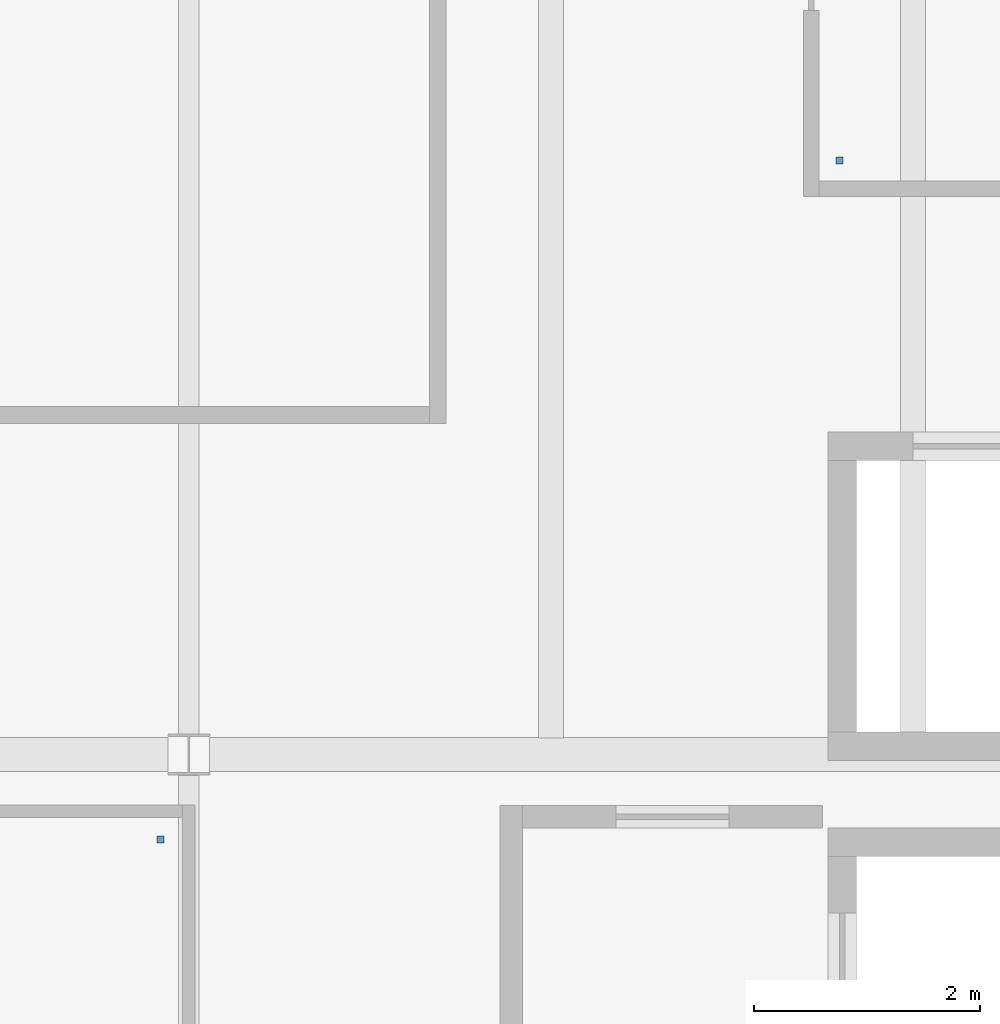
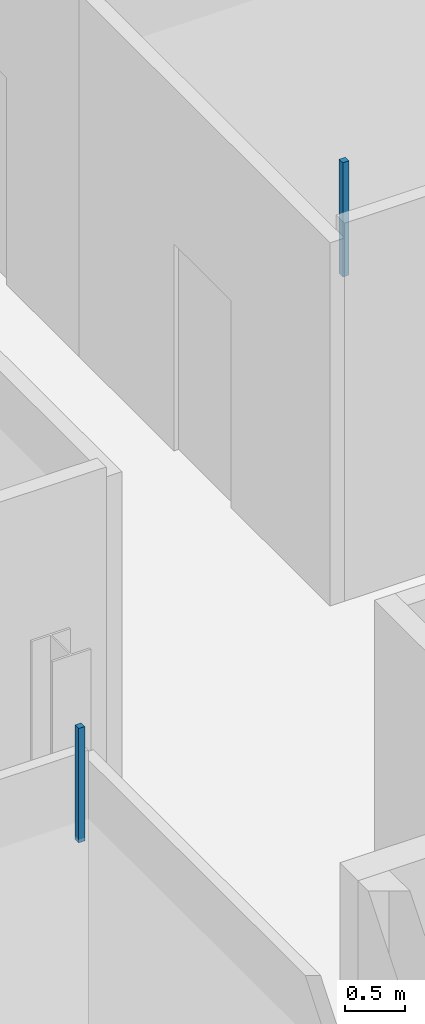
# One storey, part 70 of 110: 2 discrete accessories.
"""IFC4 building model written with IfcOpenShell, lengths in metres."""

from ifc_helpers import new_model, si_unit, direction, frame, origin, place, context, subcontext, project, spatial, polyline, outline, extrude, material, type_object, element, save


model = new_model("IFC4")

# Units and contexts
model_context = context("Model", 3, precision=1e-05, world=origin(), true_north=direction((0.0, 1.0)))
body_context = subcontext(model_context, "Body", "Model", "MODEL_VIEW")
ifc_project = project(units=[si_unit("LENGTHUNIT", "METRE"), si_unit("AREAUNIT", "SQUARE_METRE"), si_unit("VOLUMEUNIT", "CUBIC_METRE"), si_unit("PLANEANGLEUNIT", "RADIAN"), si_unit("MASSUNIT", "GRAM", prefix="KILO")], contexts=[model_context])

# Site, building, storey
site_placement = place(None, origin())
site = spatial("IfcSite", under=ifc_project, at=site_placement, CompositionType="ELEMENT")
building_placement = place(site_placement, origin())
building = spatial("IfcBuilding", under=site, at=building_placement, Name="Dunescarp Central Library", CompositionType="ELEMENT")
storey_placement = place(building_placement, frame((0.0, 0.0, 9.60009765625)))
storey = spatial("IfcBuildingStorey", under=building, at=storey_placement, Name="L02", CompositionType="ELEMENT", Elevation=9.60009765625)

# Discrete accessories
ifc_material = material(Name="Stainless steel Grade 316L", Category="steel")
discrete_accessory_type = type_object("IfcDiscreteAccessoryType", Name="ARC-ACC-BRK", PredefinedType="BRACKET", material=ifc_material)
discrete_accessory_1_placement = place(storey_placement, frame((0.0, 0.0, 3.059814453125)))
element("IfcDiscreteAccessory", 1, at=discrete_accessory_1_placement, inside=storey, type_object=discrete_accessory_type, Name="L02 ceiling hanger CLG-L02-015-H1", PredefinedType="BRACKET", context=body_context, shape_type="SweptSolid", body=[
    extrude(outline(polyline([(29.719970703125, 18.02001953125), (29.780029296875, 18.02001953125), (29.780029296875, 18.080078125), (29.719970703125, 18.080078125), (29.719970703125, 18.02001953125)])), origin(), (0.0, 0.0, 1.0), 1.16015625),
])
discrete_accessory_2_placement = place(storey_placement, frame((0.0, 0.0, 3.059814453125)))
element("IfcDiscreteAccessory", 2, at=discrete_accessory_2_placement, inside=storey, type_object=discrete_accessory_type, Name="L02 ceiling hanger CLG-L02-018-H2", PredefinedType="BRACKET", context=body_context, shape_type="SweptSolid", body=[
    extrude(outline(polyline([(23.719970703125, 12.02001953125), (23.780029296875, 12.02001953125), (23.780029296875, 12.080078125), (23.719970703125, 12.080078125), (23.719970703125, 12.02001953125)])), origin(), (0.0, 0.0, 1.0), 1.16015625),
])

save(model, "model.ifc")
